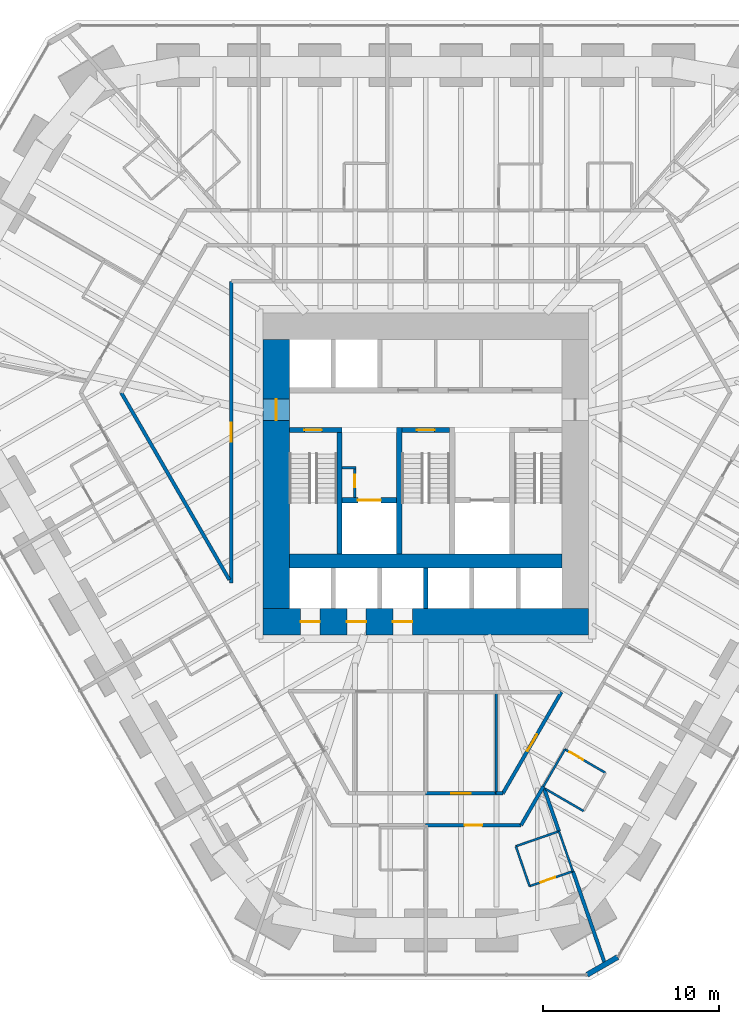
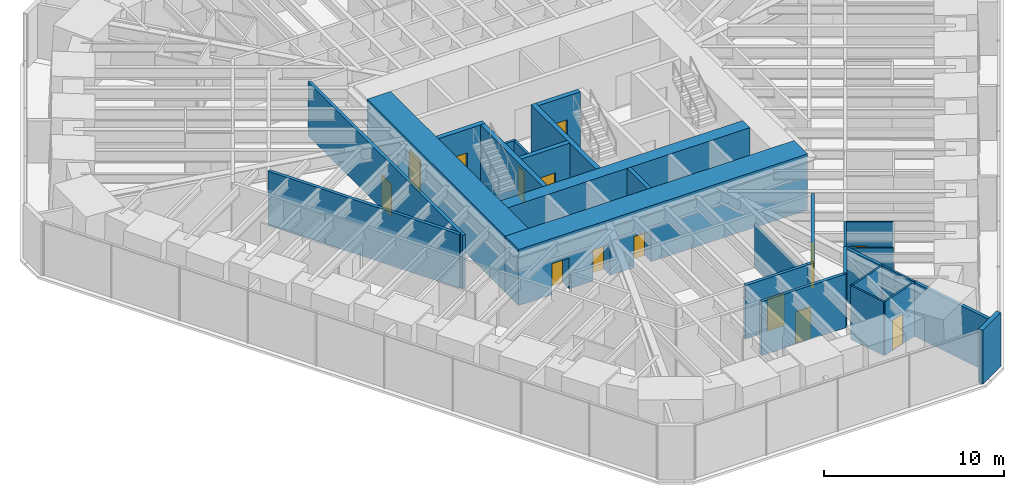
# One storey, part 12 of 17: 29 walls, 14 doors, 14 openings.
"""IFC4 building model written with IfcOpenShell, lengths in metres."""

from ifc_helpers import new_model, si_unit, direction, frame, frame_2d, origin, place, context, subcontext, project, spatial, rectangle, extrude, material, layer, layer_set, type_object, element, fill, save


model = new_model("IFC4")

# Units and contexts
model_context = context("Model", 3, precision=1e-05, world=origin(), true_north=direction((0.0, 1.0)))
body_context = subcontext(model_context, "Body", "Model", "MODEL_VIEW")
ifc_project = project(units=[si_unit("LENGTHUNIT", "METRE"), si_unit("AREAUNIT", "SQUARE_METRE"), si_unit("VOLUMEUNIT", "CUBIC_METRE"), si_unit("PLANEANGLEUNIT", "RADIAN"), si_unit("MASSUNIT", "GRAM", prefix="KILO")], contexts=[model_context])

# Site, building, storey
site_placement = place(None, origin())
site = spatial("IfcSite", under=ifc_project, at=site_placement, CompositionType="ELEMENT")
building_placement = place(site_placement, origin())
building = spatial("IfcBuilding", under=site, at=building_placement, Name="Sandreach Pilgrim Tower", CompositionType="ELEMENT")
storey_placement = place(building_placement, frame((0.0, 0.0, 83.800048828125)))
storey = spatial("IfcBuildingStorey", under=building, at=storey_placement, Name="L20", CompositionType="ELEMENT", Elevation=83.800048828125)

# Walls
ifc_material_1 = material(Name="Gypsum board on steel studs", Category="steel")
ifc_layer_1 = layer(ifc_material_1, 0.14990234375)
ifc_layer_set_1 = layer_set([ifc_layer_1], Name="Back of house wall 150")
wall_type_1 = type_object("IfcWallType", Name="Back of house wall 150", PredefinedType="PARTITIONING", material=ifc_layer_set_1)
wall_1_placement = place(storey_placement, frame((4.0, -13.949951171875, 0.0), z_axis=(0.0, 0.0, 1.0), x_axis=(0.0, -1.0, 0.0)))
element("IfcWall", 1, at=wall_1_placement, inside=storey, type_object=wall_type_1, Name="Back of house wall L20-082", PredefinedType="PARTITIONING", context=body_context, shape_type="SweptSolid", body=[
    extrude(rectangle(XDim=5.760009765625, YDim=0.14990234375, at=frame_2d((2.8798828125, 0.0))), origin(), (0.0, 0.0, 1.0), 2.8779296875),
])
ifc_material_2 = material(Name="Moisture-resistant gypsum board on steel studs", Category="steel")
ifc_layer_2 = layer(ifc_material_2, 0.1201171875)
ifc_layer_set_2 = layer_set([ifc_layer_2], Name="Bathroom partition 120")
wall_type_2 = type_object("IfcWallType", Name="Bathroom partition 120", PredefinedType="PARTITIONING", material=ifc_layer_set_2)
wall_2_placement = place(storey_placement, frame((5.1201171875, -22.7099609375, 0.0), z_axis=(0.0, 0.0, 1.0), x_axis=(0.324880771143, -0.945754981241, 0.0)))
element("IfcWall", 2, at=wall_2_placement, inside=storey, type_object=wall_type_2, Name="Bathroom partition L20-087", PredefinedType="PARTITIONING", context=body_context, shape_type="SweptSolid", body=[
    extrude(rectangle(XDim=2.400146484375, YDim=0.1201171875, at=frame_2d((1.2001953125, 0.0))), origin(), (0.0, 0.0, 1.0), 3.639892578125),
])

# Wall, opening, door
wall_3_placement = place(storey_placement, frame((5.89990234375, -24.97998046875, 0.0), z_axis=(0.0, 0.0, 1.0), x_axis=(0.945165466094, 0.326591857987, 0.0)))
wall_3 = element("IfcWall", 3, at=wall_3_placement, inside=storey, type_object=wall_type_2, Name="Bathroom partition L20-089", PredefinedType="PARTITIONING", context=body_context, shape_type="SweptSolid", body=[
    extrude(rectangle(XDim=2.60302734375, YDim=0.1201171875, at=frame_2d((1.301513671875, 0.0))), origin(), (0.0, 0.0, 1.0), 3.639892578125),
])
opening_1_placement = place(wall_3_placement, frame((0.64990234375, 0.0, 0.0)))
opening_1 = element("IfcOpeningElement", 4, at=opening_1_placement, cuts=wall_3, Name="Opening D09-11B", PredefinedType="OPENING", context=body_context, shape_type="SweptSolid", body=[
    extrude(rectangle(XDim=0.89990234375, YDim=2.030029296875, at=frame_2d((0.449951171875, 1.01513671875))), frame((0.0, 0.06005859375, 0.0), z_axis=(0.0, -1.0, 0.0), x_axis=(1.0, 0.0, 0.0)), (0.0, 0.0, 1.0), 0.1201171875),
])
ifc_material_3 = material(Name="Timber door, steel frame", Category="steel")
door_type_1 = type_object("IfcDoorType", Name="Bathroom door", OperationType="SINGLE_SWING_LEFT", PredefinedType="DOOR", material=ifc_material_3)
door_1_placement = place(opening_1_placement, origin())
door_1 = element("IfcDoor", 5, at=door_1_placement, inside=storey, type_object=door_type_1, Name="Door 2011B", OperationType="SINGLE_SWING_LEFT", OverallHeight=2.030029296875, OverallWidth=0.89990234375, PredefinedType="DOOR", context=body_context, shape_type="SweptSolid", body=[
    extrude(rectangle(XDim=0.89990234375, YDim=2.030029296875, at=frame_2d((0.449951171875, 1.01513671875))), frame((0.0, 0.02490234375, 0.0), z_axis=(0.0, -1.0, 0.0), x_axis=(1.0, 0.0, 0.0)), (0.0, 0.0, 1.0), 0.050048828125),
])
fill(opening_1, door_1)

# Walls
wall_4_placement = place(storey_placement, frame((6.68994140625, -19.31005859375, 0.0), z_axis=(0.0, 0.0, 1.0), x_axis=(0.500522890398, 0.865723302324, 0.0)))
element("IfcWall", 6, at=wall_4_placement, inside=storey, type_object=wall_type_2, Name="Bathroom partition L20-094", PredefinedType="PARTITIONING", context=body_context, shape_type="SweptSolid", body=[
    extrude(rectangle(XDim=2.4375, YDim=0.1201171875, at=frame_2d((1.21875, 0.0))), origin(), (0.0, 0.0, 1.0), 3.639892578125),
])
wall_5_placement = place(storey_placement, frame((6.807861328125, -19.455078125, 0.0), z_axis=(0.0, 0.0, 1.0), x_axis=(0.864881956308, -0.501975299844, 0.0)))
element("IfcWall", 7, at=wall_5_placement, inside=storey, type_object=wall_type_2, Name="Bathroom partition L20-095", PredefinedType="PARTITIONING", context=body_context, shape_type="SweptSolid", body=[
    extrude(rectangle(XDim=2.5, YDim=0.1201171875, at=frame_2d((1.25, 0.0))), origin(), (0.0, 0.0, 1.0), 3.639892578125),
])
wall_6_placement = place(storey_placement, frame((7.570068359375, -21.860107421875, 0.0), z_axis=(0.0, 0.0, 1.0), x_axis=(-0.944782191137, -0.327698964463, 0.0)))
element("IfcWall", 8, at=wall_6_placement, inside=storey, type_object=wall_type_2, Name="Bathroom partition L20-096", PredefinedType="PARTITIONING", context=body_context, shape_type="SweptSolid", body=[
    extrude(rectangle(XDim=2.593505859375, YDim=0.1201171875, at=frame_2d((1.296875, 0.0))), origin(), (0.0, 0.0, 1.0), 3.639892578125),
])
wall_7_placement = place(storey_placement, frame((7.570068359375, -21.860107421875, 0.0), z_axis=(0.0, 0.0, 1.0), x_axis=(0.328725498061, -0.944425511581, 0.0)))
element("IfcWall", 9, at=wall_7_placement, inside=storey, type_object=wall_type_2, Name="Bathroom partition L20-098", PredefinedType="PARTITIONING", context=body_context, shape_type="SweptSolid", body=[
    extrude(rectangle(XDim=2.4033203125, YDim=0.1201171875, at=frame_2d((1.20166015625, 0.0))), origin(), (0.0, 0.0, 1.0), 3.639892578125),
])

# Wall, opening, door
wall_8_placement = place(storey_placement, frame((10.219970703125, -18.5400390625, 0.0), z_axis=(0.0, 0.0, 1.0), x_axis=(-0.86498992408, 0.501789229896, 0.0)))
wall_8 = element("IfcWall", 10, at=wall_8_placement, inside=storey, type_object=wall_type_2, Name="Bathroom partition L20-110", PredefinedType="PARTITIONING", context=body_context, shape_type="SweptSolid", body=[
    extrude(rectangle(XDim=2.670654296875, YDim=0.1201171875, at=frame_2d((1.33544921875, 0.0))), origin(), (0.0, 0.0, 1.0), 3.639892578125),
])
opening_2_placement = place(wall_8_placement, frame((1.470458984375, 0.0, 0.0)))
opening_2 = element("IfcOpeningElement", 11, at=opening_2_placement, cuts=wall_8, Name="Opening D09-10B", PredefinedType="OPENING", context=body_context, shape_type="SweptSolid", body=[
    extrude(rectangle(XDim=0.89990234375, YDim=2.030029296875, at=frame_2d((0.449951171875, 1.01513671875))), frame((0.0, 0.06005859375, 0.0), z_axis=(0.0, -1.0, 0.0), x_axis=(1.0, 0.0, 0.0)), (0.0, 0.0, 1.0), 0.1201171875),
])
door_2_placement = place(opening_2_placement, origin())
door_2 = element("IfcDoor", 12, at=door_2_placement, inside=storey, type_object=door_type_1, Name="Door 2010B", OperationType="SINGLE_SWING_RIGHT", OverallHeight=2.030029296875, OverallWidth=0.89990234375, PredefinedType="DOOR", context=body_context, shape_type="SweptSolid", body=[
    extrude(rectangle(XDim=0.89990234375, YDim=2.030029296875, at=frame_2d((0.449951171875, 1.01513671875))), frame((0.0, 0.02490234375, 0.0), z_axis=(0.0, -1.0, 0.0), x_axis=(1.0, 0.0, 0.0)), (0.0, 0.0, 1.0), 0.050048828125),
])
fill(opening_2, door_2)

# Walls
ifc_material_4 = material(Name="Concrete 10000 psi", Category="concrete")
ifc_layer_3 = layer(ifc_material_4, 0.300048828125)
ifc_layer_set_3 = layer_set([ifc_layer_3], Name="Core inner wall 300")
wall_type_3 = type_object("IfcWallType", Name="Core inner wall 300", PredefinedType="SHEAR", material=ifc_layer_set_3)
for number, where, z_axis, x_axis, name in (
    (13, (-4.89990234375, -6.10009765625, 0.0), (0.0, 0.0, 1.0), (0.0, 1.0, 0.0), "Core wall I0 L20"),
    (14, (-1.5, -6.10009765625, 0.0), (0.0, 0.0, 1.0), (0.0, 1.0, 0.0), "Core wall I1 L20"),
):
    element("IfcWall", number, at=place(storey_placement, frame(where, z_axis=z_axis, x_axis=x_axis)), inside=storey, type_object=wall_type_3, Name=name, PredefinedType="SHEAR", context=body_context, shape_type="SweptSolid", body=[
        extrude(rectangle(XDim=7.2001953125, YDim=0.300048828125, at=frame_2d((3.60009765625, 0.0))), origin(), (0.0, 0.0, 1.0), 3.800048828125),
    ])

# Wall, opening, door
wall_9_placement = place(storey_placement, frame((-7.75, 0.949951171875, 0.0), z_axis=(0.0, 0.0, 1.0), x_axis=(1.0, 0.0, 0.0)))
wall_9 = element("IfcWall", 15, at=wall_9_placement, inside=storey, type_object=wall_type_3, Name="Core wall SN1 L20", PredefinedType="SHEAR", context=body_context, shape_type="SweptSolid", body=[
    extrude(rectangle(XDim=3.0, YDim=0.300048828125, at=frame_2d((1.5, 0.0))), origin(), (0.0, 0.0, 1.0), 3.800048828125),
])
opening_3_placement = place(wall_9_placement, frame((0.85009765625, 0.0, 0.0)))
opening_3 = element("IfcOpeningElement", 16, at=opening_3_placement, cuts=wall_9, Name="Opening D10S-ST1", PredefinedType="OPENING", context=body_context, shape_type="SweptSolid", body=[
    extrude(rectangle(XDim=1.0, YDim=2.199951171875, at=frame_2d((0.5, 1.10009765625))), frame((0.0, 0.14990234375, 0.0), z_axis=(0.0, -1.0, 0.0), x_axis=(1.0, 0.0, 0.0)), (0.0, 0.0, 1.0), 0.300048828125),
])
ifc_material_5 = material(Name="Steel door and frame", Category="steel")
door_type_2 = type_object("IfcDoorType", Name="Stair door", OperationType="SINGLE_SWING_LEFT", PredefinedType="DOOR", material=ifc_material_5)
door_3_placement = place(opening_3_placement, origin())
door_3 = element("IfcDoor", 17, at=door_3_placement, inside=storey, type_object=door_type_2, Name="Stair door ST1 L20", OperationType="SINGLE_SWING_LEFT", OverallHeight=2.199951171875, OverallWidth=1.0, PredefinedType="DOOR", context=body_context, shape_type="SweptSolid", body=[
    extrude(rectangle(XDim=1.0, YDim=2.199951171875, at=frame_2d((0.5, 1.10009765625))), frame((0.0, 0.02490234375, 0.0), z_axis=(0.0, -1.0, 0.0), x_axis=(1.0, 0.0, 0.0)), (0.0, 0.0, 1.0), 0.050048828125),
])
fill(opening_3, door_3)

wall_10_placement = place(storey_placement, frame((-1.35009765625, 0.949951171875, 0.0), z_axis=(0.0, 0.0, 1.0), x_axis=(1.0, 0.0, 0.0)))
wall_10 = element("IfcWall", 18, at=wall_10_placement, inside=storey, type_object=wall_type_3, Name="Core wall SN3 L20", PredefinedType="SHEAR", context=body_context, shape_type="SweptSolid", body=[
    extrude(rectangle(XDim=2.7001953125, YDim=0.300048828125, at=frame_2d((1.35009765625, 0.0))), origin(), (0.0, 0.0, 1.0), 3.800048828125),
])
opening_4_placement = place(wall_10_placement, frame((0.85009765625, 0.0, 0.0)))
opening_4 = element("IfcOpeningElement", 19, at=opening_4_placement, cuts=wall_10, Name="Opening D10S-ST3", PredefinedType="OPENING", context=body_context, shape_type="SweptSolid", body=[
    extrude(rectangle(XDim=1.0, YDim=2.199951171875, at=frame_2d((0.5, 1.10009765625))), frame((0.0, 0.14990234375, 0.0), z_axis=(0.0, -1.0, 0.0), x_axis=(1.0, 0.0, 0.0)), (0.0, 0.0, 1.0), 0.300048828125),
])
door_4_placement = place(opening_4_placement, origin())
door_4 = element("IfcDoor", 20, at=door_4_placement, inside=storey, type_object=door_type_2, Name="Stair door ST3 L20", OperationType="SINGLE_SWING_LEFT", OverallHeight=2.199951171875, OverallWidth=1.0, PredefinedType="DOOR", context=body_context, shape_type="SweptSolid", body=[
    extrude(rectangle(XDim=1.0, YDim=2.199951171875, at=frame_2d((0.5, 1.10009765625))), frame((0.0, 0.02490234375, 0.0), z_axis=(0.0, -1.0, 0.0), x_axis=(1.0, 0.0, 0.0)), (0.0, 0.0, 1.0), 0.050048828125),
])
fill(opening_4, door_4)

wall_11_placement = place(storey_placement, frame((-4.75, -3.050048828125, 0.0), z_axis=(0.0, 0.0, 1.0), x_axis=(1.0, 0.0, 0.0)))
wall_11 = element("IfcWall", 21, at=wall_11_placement, inside=storey, type_object=wall_type_3, Name="Core wall FL1 L20", PredefinedType="SHEAR", context=body_context, shape_type="SweptSolid", body=[
    extrude(rectangle(XDim=3.10009765625, YDim=0.300048828125, at=frame_2d((1.550048828125, 0.0))), origin(), (0.0, 0.0, 1.0), 3.800048828125),
])
opening_5_placement = place(wall_11_placement, frame((0.89990234375, 0.0, 0.0)))
opening_5 = element("IfcOpeningElement", 22, at=opening_5_placement, cuts=wall_11, Name="Opening LD13", PredefinedType="OPENING", context=body_context, shape_type="SweptSolid", body=[
    extrude(rectangle(XDim=1.300048828125, YDim=2.10009765625, at=frame_2d((0.64990234375, 1.050048828125))), frame((0.0, 0.14990234375, 0.0), z_axis=(0.0, -1.0, 0.0), x_axis=(1.0, 0.0, 0.0)), (0.0, 0.0, 1.0), 0.300048828125),
])
ifc_material_6 = material(Name="Steel door and frame", Category="steel")
door_type_3 = type_object("IfcDoorType", Name="Fire service lift landing door", OperationType="DOUBLE_DOOR_SLIDING", PredefinedType="DOOR", material=ifc_material_6)
door_5_placement = place(opening_5_placement, origin())
door_5 = element("IfcDoor", 23, at=door_5_placement, inside=storey, type_object=door_type_3, Name="Lift landing door FS1 L20", OperationType="DOUBLE_DOOR_SLIDING", OverallHeight=2.10009765625, OverallWidth=1.300048828125, PredefinedType="DOOR", context=body_context, shape_type="SweptSolid", body=[
    extrude(rectangle(XDim=1.300048828125, YDim=2.10009765625, at=frame_2d((0.64990234375, 1.050048828125))), frame((0.0, 0.02490234375, 0.0), z_axis=(0.0, -1.0, 0.0), x_axis=(1.0, 0.0, 0.0)), (0.0, 0.0, 1.0), 0.050048828125),
])
fill(opening_5, door_5)

# Wall
ifc_material_7 = material(Name="Concrete 10000 psi", Category="concrete")
ifc_layer_4 = layer(ifc_material_7, 0.800048828125)
ifc_layer_set_4 = layer_set([ifc_layer_4], Name="Core mid wall 800")
wall_type_4 = type_object("IfcWallType", Name="Core mid wall 800", PredefinedType="SHEAR", material=ifc_layer_set_4)
wall_12_placement = place(storey_placement, frame((-7.75, -6.5, 0.0), z_axis=(0.0, 0.0, 1.0), x_axis=(1.0, 0.0, 0.0)))
element("IfcWall", 24, at=wall_12_placement, inside=storey, type_object=wall_type_4, Name="Core wall M L20", PredefinedType="SHEAR", context=body_context, shape_type="SweptSolid", body=[
    extrude(rectangle(XDim=15.5, YDim=0.800048828125, at=frame_2d((7.75, 0.0))), origin(), (0.0, 0.0, 1.0), 3.800048828125),
])

# Wall, openings, doors
ifc_material_8 = material(Name="Concrete 10000 psi", Category="concrete")
ifc_layer_5 = layer(ifc_material_8, 1.5)
ifc_layer_set_5 = layer_set([ifc_layer_5], Name="Core wall 1500")
wall_type_5 = type_object("IfcWallType", Name="Core wall 1500", PredefinedType="SHEAR", material=ifc_layer_set_5)
wall_13_placement = place(storey_placement, frame((-9.25, -9.949951171875, 0.0), z_axis=(0.0, 0.0, 1.0), x_axis=(1.0, 0.0, 0.0)))
wall_13 = element("IfcWall", 25, at=wall_13_placement, inside=storey, type_object=wall_type_5, Name="Core wall S L20", PredefinedType="SHEAR", context=body_context, shape_type="SweptSolid", body=[
    extrude(rectangle(XDim=18.5, YDim=1.5, at=frame_2d((9.25, 0.0))), origin(), (0.0, 0.0, 1.0), 3.800048828125),
])
opening_6_placement = place(wall_13_placement, frame((2.137451171875, 0.0, 0.0)))
opening_6 = element("IfcOpeningElement", 26, at=opening_6_placement, cuts=wall_13, Name="Opening LD11", PredefinedType="OPENING", context=body_context, shape_type="SweptSolid", body=[
    extrude(rectangle(XDim=1.10009765625, YDim=2.10009765625, at=frame_2d((0.550048828125, 1.050048828125))), frame((0.0, 0.75, 0.0), z_axis=(0.0, -1.0, 0.0), x_axis=(1.0, 0.0, 0.0)), (0.0, 0.0, 1.0), 1.5),
])
opening_7_placement = place(wall_13_placement, frame((4.762451171875, 0.0, 0.0)))
opening_7 = element("IfcOpeningElement", 27, at=opening_7_placement, cuts=wall_13, Name="Opening LD11", PredefinedType="OPENING", context=body_context, shape_type="SweptSolid", body=[
    extrude(rectangle(XDim=1.10009765625, YDim=2.10009765625, at=frame_2d((0.550048828125, 1.050048828125))), frame((0.0, 0.75, 0.0), z_axis=(0.0, -1.0, 0.0), x_axis=(1.0, 0.0, 0.0)), (0.0, 0.0, 1.0), 1.5),
])
opening_8_placement = place(wall_13_placement, frame((7.387451171875, 0.0, 0.0)))
opening_8 = element("IfcOpeningElement", 28, at=opening_8_placement, cuts=wall_13, Name="Opening LD11", PredefinedType="OPENING", context=body_context, shape_type="SweptSolid", body=[
    extrude(rectangle(XDim=1.10009765625, YDim=2.10009765625, at=frame_2d((0.550048828125, 1.050048828125))), frame((0.0, 0.75, 0.0), z_axis=(0.0, -1.0, 0.0), x_axis=(1.0, 0.0, 0.0)), (0.0, 0.0, 1.0), 1.5),
])
ifc_material_9 = material(Name="Steel door and frame", Category="steel")
door_type_4 = type_object("IfcDoorType", Name="Lift landing door", OperationType="DOUBLE_DOOR_SLIDING", PredefinedType="DOOR", material=ifc_material_9)
door_6_placement = place(opening_6_placement, origin())
door_6 = element("IfcDoor", 29, at=door_6_placement, inside=storey, type_object=door_type_4, Name="Lift landing door Z1A L20", OperationType="DOUBLE_DOOR_SLIDING", OverallHeight=2.10009765625, OverallWidth=1.10009765625, PredefinedType="DOOR", context=body_context, shape_type="SweptSolid", body=[
    extrude(rectangle(XDim=1.10009765625, YDim=2.10009765625, at=frame_2d((0.550048828125, 1.050048828125))), frame((0.0, 0.02490234375, 0.0), z_axis=(0.0, -1.0, 0.0), x_axis=(1.0, 0.0, 0.0)), (0.0, 0.0, 1.0), 0.050048828125),
])
fill(opening_6, door_6)
door_7_placement = place(opening_7_placement, origin())
door_7 = element("IfcDoor", 30, at=door_7_placement, inside=storey, type_object=door_type_4, Name="Lift landing door Z1B L20", OperationType="DOUBLE_DOOR_SLIDING", OverallHeight=2.10009765625, OverallWidth=1.10009765625, PredefinedType="DOOR", context=body_context, shape_type="SweptSolid", body=[
    extrude(rectangle(XDim=1.10009765625, YDim=2.10009765625, at=frame_2d((0.550048828125, 1.050048828125))), frame((0.0, 0.02490234375, 0.0), z_axis=(0.0, -1.0, 0.0), x_axis=(1.0, 0.0, 0.0)), (0.0, 0.0, 1.0), 0.050048828125),
])
fill(opening_7, door_7)
door_8_placement = place(opening_8_placement, origin())
door_8 = element("IfcDoor", 31, at=door_8_placement, inside=storey, type_object=door_type_4, Name="Lift landing door Z1C L20", OperationType="DOUBLE_DOOR_SLIDING", OverallHeight=2.10009765625, OverallWidth=1.10009765625, PredefinedType="DOOR", context=body_context, shape_type="SweptSolid", body=[
    extrude(rectangle(XDim=1.10009765625, YDim=2.10009765625, at=frame_2d((0.550048828125, 1.050048828125))), frame((0.0, 0.02490234375, 0.0), z_axis=(0.0, -1.0, 0.0), x_axis=(1.0, 0.0, 0.0)), (0.0, 0.0, 1.0), 0.050048828125),
])
fill(opening_8, door_8)

# Wall, opening, door
wall_14_placement = place(storey_placement, frame((-8.5, -9.199951171875, 0.0), z_axis=(0.0, 0.0, 1.0), x_axis=(0.0, 1.0, 0.0)))
wall_14 = element("IfcWall", 32, at=wall_14_placement, inside=storey, type_object=wall_type_5, Name="Core wall W L20", PredefinedType="SHEAR", context=body_context, shape_type="SweptSolid", body=[
    extrude(rectangle(XDim=15.300048828125, YDim=1.5, at=frame_2d((7.64990234375, 0.0))), origin(), (0.0, 0.0, 1.0), 3.800048828125),
])
opening_9_placement = place(wall_14_placement, frame((10.699951171875, 0.0, 0.0)))
opening_9 = element("IfcOpeningElement", 33, at=opening_9_placement, cuts=wall_14, Name="Opening D12F-W", PredefinedType="OPENING", context=body_context, shape_type="SweptSolid", body=[
    extrude(rectangle(XDim=1.199951171875, YDim=2.199951171875, at=frame_2d((0.60009765625, 1.10009765625))), frame((0.0, 0.75, 0.0), z_axis=(0.0, -1.0, 0.0), x_axis=(1.0, 0.0, 0.0)), (0.0, 0.0, 1.0), 1.5),
])
ifc_material_10 = material(Name="Steel door and frame", Category="steel")
door_type_5 = type_object("IfcDoorType", Name="Fire lobby door", OperationType="SINGLE_SWING_LEFT", PredefinedType="DOOR", material=ifc_material_10)
door_9_placement = place(opening_9_placement, origin())
door_9 = element("IfcDoor", 34, at=door_9_placement, inside=storey, type_object=door_type_5, Name="Fire service lobby door W L20", OperationType="SINGLE_SWING_RIGHT", OverallHeight=2.199951171875, OverallWidth=1.199951171875, PredefinedType="DOOR", context=body_context, shape_type="SweptSolid", body=[
    extrude(rectangle(XDim=1.199951171875, YDim=2.199951171875, at=frame_2d((0.60009765625, 1.10009765625))), frame((0.0, 0.02490234375, 0.0), z_axis=(0.0, -1.0, 0.0), x_axis=(1.0, 0.0, 0.0)), (0.0, 0.0, 1.0), 0.050048828125),
])
fill(opening_9, door_9)

# Wall
ifc_material_11 = material(Name="Gypsum board on steel studs, two layers each side", Category="steel")
ifc_layer_6 = layer(ifc_material_11, 0.199951171875)
ifc_layer_set_6 = layer_set([ifc_layer_6], Name="Corridor wall 200")
wall_type_6 = type_object("IfcWallType", Name="Corridor wall 200", PredefinedType="PARTITIONING", material=ifc_layer_set_6)
wall_15_placement = place(storey_placement, frame((-11.16015625, -7.569580078125, 0.0), z_axis=(0.0, 0.0, 1.0), x_axis=(-0.500175206663, 0.865924224537, 0.0)))
element("IfcWall", 35, at=wall_15_placement, inside=storey, type_object=wall_type_6, Name="Corridor wall L20-043", PredefinedType="PARTITIONING", context=body_context, shape_type="SweptSolid", body=[
    extrude(rectangle(XDim=12.275390625, YDim=0.199951171875, at=frame_2d((6.1376953125, 0.0))), origin(), (0.0, 0.0, 1.0), 3.639892578125),
])

# Wall, opening, door
wall_16_placement = place(storey_placement, frame((-11.050048828125, 9.39990234375, 0.0), z_axis=(0.0, 0.0, 1.0), x_axis=(0.0, -1.0, 0.0)))
wall_16 = element("IfcWall", 36, at=wall_16_placement, inside=storey, type_object=wall_type_6, Name="Corridor wall L20-045", PredefinedType="PARTITIONING", context=body_context, shape_type="SweptSolid", body=[
    extrude(rectangle(XDim=17.159912109375, YDim=0.199951171875, at=frame_2d((8.580078125, 0.0))), origin(), (0.0, 0.0, 1.0), 3.639892578125),
])
opening_10_placement = place(wall_16_placement, frame((8.030029296875, 0.0, 0.0)))
opening_10 = element("IfcOpeningElement", 37, at=opening_10_placement, cuts=wall_16, Name="Opening D11H-M01", PredefinedType="OPENING", context=body_context, shape_type="SweptSolid", body=[
    extrude(rectangle(XDim=1.10009765625, YDim=2.199951171875, at=frame_2d((0.550048828125, 1.10009765625))), frame((0.0, 0.10009765625, 0.0), z_axis=(0.0, -1.0, 0.0), x_axis=(1.0, 0.0, 0.0)), (0.0, 0.0, 1.0), 0.199951171875),
])
ifc_material_12 = material(Name="Steel door and frame", Category="steel")
door_type_6 = type_object("IfcDoorType", Name="Back of house door", OperationType="SINGLE_SWING_LEFT", PredefinedType="DOOR", material=ifc_material_12)
door_10_placement = place(opening_10_placement, origin())
door_10 = element("IfcDoor", 38, at=door_10_placement, inside=storey, type_object=door_type_6, Name="Door 20M01", OperationType="SINGLE_SWING_LEFT", OverallHeight=2.199951171875, OverallWidth=1.10009765625, PredefinedType="DOOR", context=body_context, shape_type="SweptSolid", body=[
    extrude(rectangle(XDim=1.10009765625, YDim=2.199951171875, at=frame_2d((0.550048828125, 1.10009765625))), frame((0.0, 0.02490234375, 0.0), z_axis=(0.0, -1.0, 0.0), x_axis=(1.0, 0.0, 0.0)), (0.0, 0.0, 1.0), 0.050048828125),
])
fill(opening_10, door_10)

wall_17_placement = place(storey_placement, frame((0.0, -21.510009765625, 0.0), z_axis=(0.0, 0.0, 1.0), x_axis=(1.0, 0.0, 0.0)))
wall_17 = element("IfcWall", 39, at=wall_17_placement, inside=storey, type_object=wall_type_6, Name="Corridor wall L20-073", PredefinedType="PARTITIONING", context=body_context, shape_type="SweptSolid", body=[
    extrude(rectangle(XDim=5.419921875, YDim=0.199951171875, at=frame_2d((2.7099609375, 0.0))), origin(), (0.0, 0.0, 1.0), 3.639892578125),
])
opening_11_placement = place(wall_17_placement, frame((2.2099609375, 0.0, 0.0)))
opening_11 = element("IfcOpeningElement", 40, at=opening_11_placement, cuts=wall_17, Name="Opening D10-11", PredefinedType="OPENING", context=body_context, shape_type="SweptSolid", body=[
    extrude(rectangle(XDim=1.0, YDim=2.1298828125, at=frame_2d((0.5, 1.06494140625))), frame((0.0, 0.10009765625, 0.0), z_axis=(0.0, -1.0, 0.0), x_axis=(1.0, 0.0, 0.0)), (0.0, 0.0, 1.0), 0.199951171875),
])
ifc_material_13 = material(Name="Steel door and frame", Category="steel")
door_type_7 = type_object("IfcDoorType", Name="Guest room entry door", OperationType="SINGLE_SWING_LEFT", PredefinedType="DOOR", material=ifc_material_13)
door_11_placement = place(opening_11_placement, origin())
door_11 = element("IfcDoor", 41, at=door_11_placement, inside=storey, type_object=door_type_7, Name="Door 2011", OperationType="SINGLE_SWING_LEFT", OverallHeight=2.1298828125, OverallWidth=1.0, PredefinedType="DOOR", context=body_context, shape_type="SweptSolid", body=[
    extrude(rectangle(XDim=1.0, YDim=2.1298828125, at=frame_2d((0.5, 1.06494140625))), frame((0.0, 0.02490234375, 0.0), z_axis=(0.0, -1.0, 0.0), x_axis=(1.0, 0.0, 0.0)), (0.0, 0.0, 1.0), 0.050048828125),
])
fill(opening_11, door_11)

wall_18_placement = place(storey_placement, frame((4.0, -19.7099609375, 0.0), z_axis=(0.0, 0.0, 1.0), x_axis=(-1.0, 0.0, 0.0)))
wall_18 = element("IfcWall", 42, at=wall_18_placement, inside=storey, type_object=wall_type_6, Name="Corridor wall L20-081", PredefinedType="PARTITIONING", context=body_context, shape_type="SweptSolid", body=[
    extrude(rectangle(XDim=4.0, YDim=0.199951171875, at=frame_2d((2.0, 0.0))), origin(), (0.0, 0.0, 1.0), 3.639892578125),
])
opening_12_placement = place(wall_18_placement, frame((1.449951171875, 0.0, 0.0)))
opening_12 = element("IfcOpeningElement", 43, at=opening_12_placement, cuts=wall_18, Name="Opening D11H-S3", PredefinedType="OPENING", context=body_context, shape_type="SweptSolid", body=[
    extrude(rectangle(XDim=1.10009765625, YDim=2.199951171875, at=frame_2d((0.550048828125, 1.10009765625))), frame((0.0, 0.10009765625, 0.0), z_axis=(0.0, -1.0, 0.0), x_axis=(1.0, 0.0, 0.0)), (0.0, 0.0, 1.0), 0.199951171875),
])
door_12_placement = place(opening_12_placement, origin())
door_12 = element("IfcDoor", 44, at=door_12_placement, inside=storey, type_object=door_type_6, Name="Door 20S3", OperationType="SINGLE_SWING_LEFT", OverallHeight=2.199951171875, OverallWidth=1.10009765625, PredefinedType="DOOR", context=body_context, shape_type="SweptSolid", body=[
    extrude(rectangle(XDim=1.10009765625, YDim=2.199951171875, at=frame_2d((0.550048828125, 1.10009765625))), frame((0.0, 0.02490234375, 0.0), z_axis=(0.0, -1.0, 0.0), x_axis=(1.0, 0.0, 0.0)), (0.0, 0.0, 1.0), 0.050048828125),
])
fill(opening_12, door_12)

# Walls
wall_19_placement = place(storey_placement, frame((4.3798828125, -19.7099609375, 0.0), z_axis=(0.0, 0.0, 1.0), x_axis=(-1.0, 0.0, 0.0)))
element("IfcWall", 45, at=wall_19_placement, inside=storey, type_object=wall_type_6, Name="Corridor wall L20-086", PredefinedType="PARTITIONING", context=body_context, shape_type="SweptSolid", body=[
    extrude(rectangle(XDim=0.3798828125, YDim=0.199951171875, at=frame_2d((0.18994140625, 0.0))), origin(), (0.0, 0.0, 1.0), 3.639892578125),
])
wall_20_placement = place(storey_placement, frame((5.419921875, -21.510009765625, 0.0), z_axis=(0.0, 0.0, 1.0), x_axis=(0.499963722229, 0.866046347752, 0.0)))
element("IfcWall", 46, at=wall_20_placement, inside=storey, type_object=wall_type_6, Name="Corridor wall L20-088", PredefinedType="PARTITIONING", context=body_context, shape_type="SweptSolid", body=[
    extrude(rectangle(XDim=2.540283203125, YDim=0.199951171875, at=frame_2d((1.27001953125, 0.0))), origin(), (0.0, 0.0, 1.0), 3.639892578125),
])

# Wall, opening, door
wall_21_placement = place(storey_placement, frame((7.7099609375, -13.949951171875, 0.0), z_axis=(0.0, 0.0, 1.0), x_axis=(-0.500511113963, -0.865730110831, 0.0)))
wall_21 = element("IfcWall", 47, at=wall_21_placement, inside=storey, type_object=wall_type_6, Name="Corridor wall L20-099", PredefinedType="PARTITIONING", context=body_context, shape_type="SweptSolid", body=[
    extrude(rectangle(XDim=6.6533203125, YDim=0.199951171875, at=frame_2d((3.32666015625, 0.0))), origin(), (0.0, 0.0, 1.0), 3.639892578125),
])
opening_13_placement = place(wall_21_placement, frame((2.776611328125, 0.0, 0.0)))
opening_13 = element("IfcOpeningElement", 48, at=opening_13_placement, cuts=wall_21, Name="Opening D11H-S4", PredefinedType="OPENING", context=body_context, shape_type="SweptSolid", body=[
    extrude(rectangle(XDim=1.10009765625, YDim=2.199951171875, at=frame_2d((0.550048828125, 1.10009765625))), frame((0.0, 0.10009765625, 0.0), z_axis=(0.0, -1.0, 0.0), x_axis=(1.0, 0.0, 0.0)), (0.0, 0.0, 1.0), 0.199951171875),
])
door_13_placement = place(opening_13_placement, origin())
door_13 = element("IfcDoor", 49, at=door_13_placement, inside=storey, type_object=door_type_6, Name="Door 20S4", OperationType="SINGLE_SWING_LEFT", OverallHeight=2.199951171875, OverallWidth=1.10009765625, PredefinedType="DOOR", context=body_context, shape_type="SweptSolid", body=[
    extrude(rectangle(XDim=1.10009765625, YDim=2.199951171875, at=frame_2d((0.550048828125, 1.10009765625))), frame((0.0, 0.02490234375, 0.0), z_axis=(0.0, -1.0, 0.0), x_axis=(1.0, 0.0, 0.0)), (0.0, 0.0, 1.0), 0.050048828125),
])
fill(opening_13, door_13)

# Walls
ifc_material_14 = material(Name="Double steel stud acoustic wall, gypsum board", Category="steel")
ifc_layer_7 = layer(ifc_material_14, 0.199951171875)
ifc_layer_set_7 = layer_set([ifc_layer_7], Name="Party wall 200")
wall_type_7 = type_object("IfcWallType", Name="Party wall 200", PredefinedType="PARTITIONING", material=ifc_layer_set_7)
wall_22_placement = place(storey_placement, frame((7.570068359375, -21.860107421875, 0.0), z_axis=(0.0, 0.0, 1.0), x_axis=(-0.327782990589, 0.944753042377, 0.0)))
element("IfcWall", 50, at=wall_22_placement, inside=storey, type_object=wall_type_7, Name="Party wall L20-097", PredefinedType="PARTITIONING", context=body_context, shape_type="SweptSolid", body=[
    extrude(rectangle(XDim=2.593505859375, YDim=0.199951171875, at=frame_2d((1.296875, 0.0))), origin(), (0.0, 0.0, 1.0), 3.639892578125),
])
wall_23_placement = place(storey_placement, frame((8.360107421875, -24.1298828125, 0.0), z_axis=(0.0, 0.0, 1.0), x_axis=(0.327332811485, -0.944909112309, 0.0)))
element("IfcWall", 51, at=wall_23_placement, inside=storey, type_object=wall_type_7, Name="Party wall L20-101", PredefinedType="PARTITIONING", context=body_context, shape_type="SweptSolid", body=[
    extrude(rectangle(XDim=5.621337890625, YDim=0.199951171875, at=frame_2d((2.810546875, 0.0))), origin(), (0.0, 0.0, 1.0), 3.639892578125),
])

# Wall, opening, door
ifc_material_15 = material(Name="Gypsum shaft wall on steel studs, shaft liner board", Category="steel")
ifc_layer_8 = layer(ifc_material_15, 0.14990234375)
ifc_layer_set_8 = layer_set([ifc_layer_8], Name="Riser shaft wall 150")
wall_type_8 = type_object("IfcWallType", Name="Riser shaft wall 150", PredefinedType="PARTITIONING", material=ifc_layer_set_8)
wall_24_placement = place(storey_placement, frame((-4.02490234375, -2.89990234375, 0.0), z_axis=(0.0, 0.0, 1.0), x_axis=(0.0, 1.0, 0.0)))
wall_24 = element("IfcWall", 52, at=wall_24_placement, inside=storey, type_object=wall_type_8, Name="Riser partition L20 side", PredefinedType="PARTITIONING", context=body_context, shape_type="SweptSolid", body=[
    extrude(rectangle(XDim=1.77490234375, YDim=0.14990234375, at=frame_2d((0.887451171875, 0.0))), origin(), (0.0, 0.0, 1.0), 3.639892578125),
])
opening_14_placement = place(wall_24_placement, frame((0.60009765625, 0.0, 0.0)))
opening_14 = element("IfcOpeningElement", 53, at=opening_14_placement, cuts=wall_24, Name="Opening D07R", PredefinedType="OPENING", context=body_context, shape_type="SweptSolid", body=[
    extrude(rectangle(XDim=0.699951171875, YDim=2.10009765625, at=frame_2d((0.35009765625, 1.050048828125))), frame((0.0, 0.074951171875, 0.0), z_axis=(0.0, -1.0, 0.0), x_axis=(1.0, 0.0, 0.0)), (0.0, 0.0, 1.0), 0.14990234375),
])
ifc_material_16 = material(Name="Steel door and frame, smoke seals", Category="steel")
door_type_8 = type_object("IfcDoorType", Name="Riser access door", OperationType="SINGLE_SWING_RIGHT", PredefinedType="DOOR", material=ifc_material_16)
door_14_placement = place(opening_14_placement, origin())
door_14 = element("IfcDoor", 54, at=door_14_placement, inside=storey, type_object=door_type_8, Name="Door riser 20ER", OperationType="SINGLE_SWING_RIGHT", OverallHeight=2.10009765625, OverallWidth=0.699951171875, PredefinedType="DOOR", context=body_context, shape_type="SweptSolid", body=[
    extrude(rectangle(XDim=0.699951171875, YDim=2.10009765625, at=frame_2d((0.35009765625, 1.050048828125))), frame((0.0, 0.02490234375, 0.0), z_axis=(0.0, -1.0, 0.0), x_axis=(1.0, 0.0, 0.0)), (0.0, 0.0, 1.0), 0.050048828125),
])
fill(opening_14, door_14)

# Walls
wall_25_placement = place(storey_placement, frame((-4.75, -1.199951171875, 0.0), z_axis=(0.0, 0.0, 1.0), x_axis=(1.0, 0.0, 0.0)))
element("IfcWall", 55, at=wall_25_placement, inside=storey, type_object=wall_type_8, Name="Riser partition L20 front", PredefinedType="PARTITIONING", context=body_context, shape_type="SweptSolid", body=[
    extrude(rectangle(XDim=0.800048828125, YDim=0.14990234375, at=frame_2d((0.39990234375, 0.0))), origin(), (0.0, 0.0, 1.0), 3.639892578125),
])
ifc_material_17 = material(Name="Gypsum shaft wall on steel studs, two layers of shaft liner board", Category="steel")
ifc_layer_9 = layer(ifc_material_17, 0.25)
ifc_layer_set_9 = layer_set([ifc_layer_9], Name="Shaft partition 250")
wall_type_9 = type_object("IfcWallType", Name="Shaft partition 250", PredefinedType="PARTITIONING", material=ifc_layer_set_9)
wall_26_placement = place(storey_placement, frame((0.0, -9.199951171875, 0.0), z_axis=(0.0, 0.0, 1.0), x_axis=(0.0, 1.0, 0.0)))
element("IfcWall", 56, at=wall_26_placement, inside=storey, type_object=wall_type_9, Name="Shaft partition XS2 L20", PredefinedType="PARTITIONING", context=body_context, shape_type="SweptSolid", body=[
    extrude(rectangle(XDim=2.300048828125, YDim=0.25, at=frame_2d((1.14990234375, 0.0))), origin(), (0.0, 0.0, 1.0), 3.800048828125),
])
ifc_material_18 = material(Name="Terracotta rainscreen on concrete", Category="masonry")
ifc_layer_10 = layer(ifc_material_18, 0.300048828125)
ifc_layer_set_10 = layer_set([ifc_layer_10], Name="Terracotta chamfer pier")
wall_type_10 = type_object("IfcWallType", Name="Terracotta chamfer pier", PredefinedType="SOLIDWALL", material=ifc_layer_set_10)
wall_27_placement = place(storey_placement, frame((10.904052734375, -29.010986328125, 0.0), z_axis=(0.0, 0.0, 1.0), x_axis=(-0.866010750942, -0.50002537861, 0.0)))
element("IfcWall", 57, at=wall_27_placement, inside=storey, type_object=wall_type_10, Name="Chamfer pier L20 SE", PredefinedType="SOLIDWALL", context=body_context, shape_type="SweptSolid", body=[
    extrude(rectangle(XDim=2.0, YDim=0.300048828125, at=frame_2d((1.0, 0.0))), origin(), (0.0, 0.0, 1.0), 3.639892578125),
])

save(model, "model.ifc")
